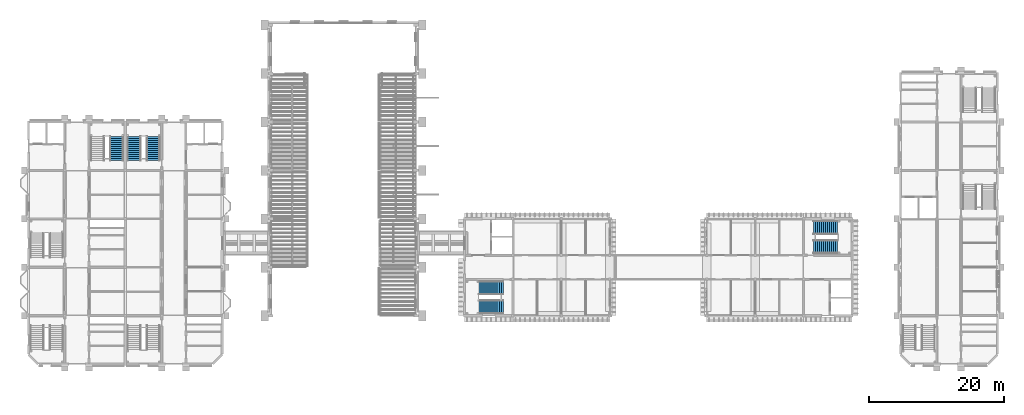
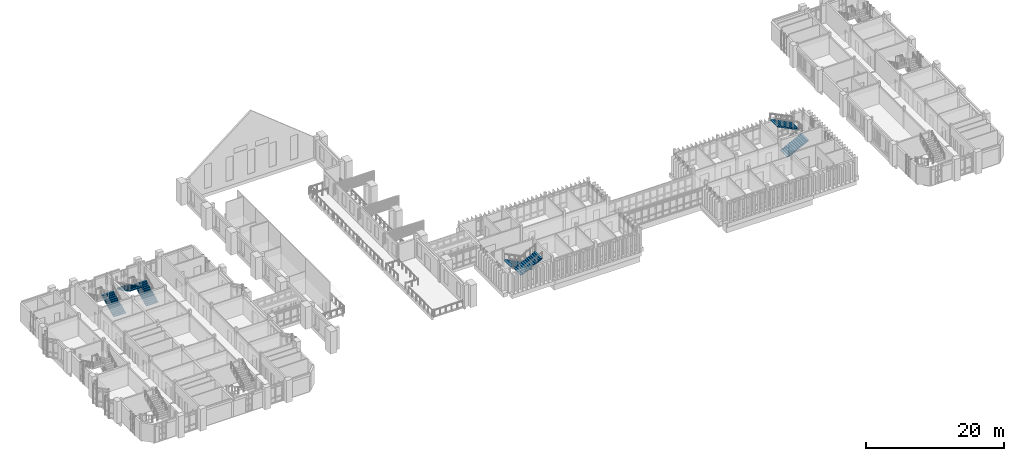
# One storey, part 56 of 69: 7 stair flights, 4 elements without a shape of their own.
"""IFC4 building model written with IfcOpenShell, lengths in metres."""

from ifc_helpers import new_model, si_unit, direction, frame, origin, place, context, subcontext, project, spatial, faceted_brep, material, type_object, element, aggregate, save


model = new_model("IFC4")

# Units and contexts
model_context = context("Model", 3, precision=1e-05, world=origin(), true_north=direction((0.0, 1.0)))
body_context = subcontext(model_context, "Body", "Model", "MODEL_VIEW")
ifc_project = project(units=[si_unit("LENGTHUNIT", "METRE"), si_unit("AREAUNIT", "SQUARE_METRE"), si_unit("VOLUMEUNIT", "CUBIC_METRE"), si_unit("PLANEANGLEUNIT", "RADIAN"), si_unit("MASSUNIT", "GRAM", prefix="KILO")], contexts=[model_context])

# Site, building, storey
site_placement = place(None, origin())
site = spatial("IfcSite", under=ifc_project, at=site_placement, CompositionType="ELEMENT")
building_placement = place(site_placement, origin())
building = spatial("IfcBuilding", under=site, at=building_placement, Name="Mazhai Court Health Centre", CompositionType="ELEMENT")
storey_placement = place(building_placement, frame((0.0, 0.0, 6.300048828125)))
storey = spatial("IfcBuildingStorey", under=building, at=storey_placement, Name="L01", CompositionType="ELEMENT", Elevation=6.300048828125)

# Stair, stair flight
ifc_material_1 = material(Name="Concrete M40", Category="concrete")
stair_type = type_object("IfcStairType", Name="RC STAIR 2000 26R", PredefinedType="DOUBLE_RETURN_STAIR", material=ifc_material_1)
stair_1_placement = place(storey_placement, origin())
stair_1 = element("IfcStair", 1, at=stair_1_placement, inside=storey, type_object=stair_type, Name="L01 Stair 3", PredefinedType="HALF_TURN_STAIR")
ifc_material_2 = material(Name="Concrete M40", Category="concrete")
stair_flight_type = type_object("IfcStairFlightType", Name="RC STAIR FLIGHT 13R 2000", PredefinedType="STRAIGHT", material=ifc_material_2)
stair_flight_1_placement = place(storey_placement, frame((19.304931640625, 36.43505859375, 0.0), z_axis=(0.0, 0.0, 1.0), x_axis=(0.0, 1.0, 0.0)))
stair_flight_1 = element("IfcStairFlight", 2, at=stair_flight_1_placement, type_object=stair_flight_type, Name="ST3 flight 1", NumberOfRisers=13, NumberOfTreads=12, PredefinedType="STRAIGHT", RiserHeight=0.15, TreadLength=0.3, context=body_context, shape_type="Brep", body=[
    faceted_brep([(0.0, 1.0, 0.0), (0.0, 1.0, 0.14990234375), (0.300048828125, 1.0, 0.14990234375), (0.300048828125, 1.0, 0.300048828125), (0.60009765625, 1.0, 0.300048828125), (0.60009765625, 1.0, 0.449951171875), (0.89990234375, 1.0, 0.449951171875), (0.89990234375, 1.0, 0.60009765625), (1.199951171875, 1.0, 0.60009765625), (1.199951171875, 1.0, 0.75), (1.5, 1.0, 0.75), (1.5, 1.0, 0.89990234375), (1.800048828125, 1.0, 0.89990234375), (1.800048828125, 1.0, 1.050048828125), (2.10009765625, 1.0, 1.050048828125), (2.10009765625, 1.0, 1.199951171875), (2.39990234375, 1.0, 1.199951171875), (2.39990234375, 1.0, 1.35009765625), (2.699951171875, 1.0, 1.35009765625), (2.699951171875, 1.0, 1.5), (3.0, 1.0, 1.5), (3.0, 1.0, 1.64990234375), (3.300048828125, 1.0, 1.64990234375), (3.300048828125, 1.0, 1.800048828125), (3.60009765625, 1.0, 1.800048828125), (3.60009765625, 1.0, 1.63232421875), (0.335205078125, 1.0, 0.0), (0.335205078125, -1.0, 0.0), (3.60009765625, -1.0, 1.63232421875), (3.60009765625, -1.0, 1.800048828125), (3.300048828125, -1.0, 1.800048828125), (3.300048828125, -1.0, 1.64990234375), (3.0, -1.0, 1.64990234375), (3.0, -1.0, 1.5), (2.699951171875, -1.0, 1.5), (2.699951171875, -1.0, 1.35009765625), (2.39990234375, -1.0, 1.35009765625), (2.39990234375, -1.0, 1.199951171875), (2.10009765625, -1.0, 1.199951171875), (2.10009765625, -1.0, 1.050048828125), (1.800048828125, -1.0, 1.050048828125), (1.800048828125, -1.0, 0.89990234375), (1.5, -1.0, 0.89990234375), (1.5, -1.0, 0.75), (1.199951171875, -1.0, 0.75), (1.199951171875, -1.0, 0.60009765625), (0.89990234375, -1.0, 0.60009765625), (0.89990234375, -1.0, 0.449951171875), (0.60009765625, -1.0, 0.449951171875), (0.60009765625, -1.0, 0.300048828125), (0.300048828125, -1.0, 0.300048828125), (0.300048828125, -1.0, 0.14990234375), (0.0, -1.0, 0.14990234375), (0.0, -1.0, 0.0), (0.0, 0.0, 0.0), (0.0, 0.0, 0.14990234375), (0.300048828125, 0.0, 0.14990234375), (0.300048828125, 0.0, 0.300048828125), (0.60009765625, 0.0, 0.300048828125), (0.60009765625, 0.0, 0.449951171875), (0.89990234375, 0.0, 0.449951171875), (0.89990234375, 0.0, 0.60009765625), (1.199951171875, 0.0, 0.60009765625), (1.199951171875, 0.0, 0.75), (1.5, 0.0, 0.75), (1.5, 0.0, 0.89990234375), (1.800048828125, 0.0, 0.89990234375), (1.800048828125, 0.0, 1.050048828125), (2.10009765625, 0.0, 1.050048828125), (2.10009765625, 0.0, 1.199951171875), (2.39990234375, 0.0, 1.199951171875), (2.39990234375, 0.0, 1.35009765625), (2.699951171875, 0.0, 1.35009765625), (2.699951171875, 0.0, 1.5), (3.0, 0.0, 1.5), (3.0, 0.0, 1.64990234375), (3.300048828125, 0.0, 1.64990234375), (3.300048828125, 0.0, 1.800048828125), (3.60009765625, 0.0, 1.800048828125), (3.60009765625, 0.0, 1.63232421875), (0.335205078125, 0.0, 0.0)], [[[0, 1, 2, 3, 4, 5, 6, 7, 8, 9, 10, 11, 12, 13, 14, 15, 16, 17, 18, 19, 20, 21, 22, 23, 24, 25, 26]], [[27, 28, 29, 30, 31, 32, 33, 34, 35, 36, 37, 38, 39, 40, 41, 42, 43, 44, 45, 46, 47, 48, 49, 50, 51, 52, 53]], [[54, 55, 1, 0]], [[53, 52, 55, 54]], [[55, 56, 2, 1]], [[52, 51, 56, 55]], [[56, 57, 3, 2]], [[51, 50, 57, 56]], [[57, 58, 4, 3]], [[50, 49, 58, 57]], [[58, 59, 5, 4]], [[49, 48, 59, 58]], [[59, 60, 6, 5]], [[48, 47, 60, 59]], [[60, 61, 7, 6]], [[47, 46, 61, 60]], [[61, 62, 8, 7]], [[46, 45, 62, 61]], [[62, 63, 9, 8]], [[45, 44, 63, 62]], [[63, 64, 10, 9]], [[44, 43, 64, 63]], [[64, 65, 11, 10]], [[43, 42, 65, 64]], [[65, 66, 12, 11]], [[42, 41, 66, 65]], [[66, 67, 13, 12]], [[41, 40, 67, 66]], [[67, 68, 14, 13]], [[40, 39, 68, 67]], [[68, 69, 15, 14]], [[39, 38, 69, 68]], [[69, 70, 16, 15]], [[38, 37, 70, 69]], [[70, 71, 17, 16]], [[37, 36, 71, 70]], [[71, 72, 18, 17]], [[36, 35, 72, 71]], [[72, 73, 19, 18]], [[35, 34, 73, 72]], [[73, 74, 20, 19]], [[34, 33, 74, 73]], [[74, 75, 21, 20]], [[33, 32, 75, 74]], [[75, 76, 22, 21]], [[32, 31, 76, 75]], [[76, 77, 23, 22]], [[31, 30, 77, 76]], [[77, 78, 24, 23]], [[30, 29, 78, 77]], [[78, 79, 25, 24]], [[29, 28, 79, 78]], [[79, 80, 26, 25]], [[28, 27, 80, 79]], [[80, 54, 0, 26]], [[27, 53, 54, 80]]]),
])
aggregate(stair_1, [stair_flight_1])

# Stair, stair flights
stair_2_placement = place(storey_placement, origin())
stair_2 = element("IfcStair", 3, at=stair_2_placement, inside=storey, type_object=stair_type, Name="L01 Stair 5", PredefinedType="HALF_TURN_STAIR")
stair_flight_2_placement = place(storey_placement, frame((24.7451171875, 36.43505859375, 0.0), z_axis=(0.0, 0.0, 1.0), x_axis=(0.0, 1.0, 0.0)))
stair_flight_2 = element("IfcStairFlight", 4, at=stair_flight_2_placement, type_object=stair_flight_type, Name="ST5 flight 1", NumberOfRisers=13, NumberOfTreads=12, PredefinedType="STRAIGHT", RiserHeight=0.15, TreadLength=0.3, context=body_context, shape_type="Brep", body=[
    faceted_brep([(0.0, 1.0, 0.0), (0.0, 1.0, 0.14990234375), (0.300048828125, 1.0, 0.14990234375), (0.300048828125, 1.0, 0.300048828125), (0.60009765625, 1.0, 0.300048828125), (0.60009765625, 1.0, 0.449951171875), (0.89990234375, 1.0, 0.449951171875), (0.89990234375, 1.0, 0.60009765625), (1.199951171875, 1.0, 0.60009765625), (1.199951171875, 1.0, 0.75), (1.5, 1.0, 0.75), (1.5, 1.0, 0.89990234375), (1.800048828125, 1.0, 0.89990234375), (1.800048828125, 1.0, 1.050048828125), (2.10009765625, 1.0, 1.050048828125), (2.10009765625, 1.0, 1.199951171875), (2.39990234375, 1.0, 1.199951171875), (2.39990234375, 1.0, 1.35009765625), (2.699951171875, 1.0, 1.35009765625), (2.699951171875, 1.0, 1.5), (3.0, 1.0, 1.5), (3.0, 1.0, 1.64990234375), (3.300048828125, 1.0, 1.64990234375), (3.300048828125, 1.0, 1.800048828125), (3.60009765625, 1.0, 1.800048828125), (3.60009765625, 1.0, 1.63232421875), (0.335205078125, 1.0, 0.0), (0.335205078125, -1.0, 0.0), (3.60009765625, -1.0, 1.63232421875), (3.60009765625, -1.0, 1.800048828125), (3.300048828125, -1.0, 1.800048828125), (3.300048828125, -1.0, 1.64990234375), (3.0, -1.0, 1.64990234375), (3.0, -1.0, 1.5), (2.699951171875, -1.0, 1.5), (2.699951171875, -1.0, 1.35009765625), (2.39990234375, -1.0, 1.35009765625), (2.39990234375, -1.0, 1.199951171875), (2.10009765625, -1.0, 1.199951171875), (2.10009765625, -1.0, 1.050048828125), (1.800048828125, -1.0, 1.050048828125), (1.800048828125, -1.0, 0.89990234375), (1.5, -1.0, 0.89990234375), (1.5, -1.0, 0.75), (1.199951171875, -1.0, 0.75), (1.199951171875, -1.0, 0.60009765625), (0.89990234375, -1.0, 0.60009765625), (0.89990234375, -1.0, 0.449951171875), (0.60009765625, -1.0, 0.449951171875), (0.60009765625, -1.0, 0.300048828125), (0.300048828125, -1.0, 0.300048828125), (0.300048828125, -1.0, 0.14990234375), (0.0, -1.0, 0.14990234375), (0.0, -1.0, 0.0), (0.0, 0.0, 0.0), (0.0, 0.0, 0.14990234375), (0.300048828125, 0.0, 0.14990234375), (0.300048828125, 0.0, 0.300048828125), (0.60009765625, 0.0, 0.300048828125), (0.60009765625, 0.0, 0.449951171875), (0.89990234375, 0.0, 0.449951171875), (0.89990234375, 0.0, 0.60009765625), (1.199951171875, 0.0, 0.60009765625), (1.199951171875, 0.0, 0.75), (1.5, 0.0, 0.75), (1.5, 0.0, 0.89990234375), (1.800048828125, 0.0, 0.89990234375), (1.800048828125, 0.0, 1.050048828125), (2.10009765625, 0.0, 1.050048828125), (2.10009765625, 0.0, 1.199951171875), (2.39990234375, 0.0, 1.199951171875), (2.39990234375, 0.0, 1.35009765625), (2.699951171875, 0.0, 1.35009765625), (2.699951171875, 0.0, 1.5), (3.0, 0.0, 1.5), (3.0, 0.0, 1.64990234375), (3.300048828125, 0.0, 1.64990234375), (3.300048828125, 0.0, 1.800048828125), (3.60009765625, 0.0, 1.800048828125), (3.60009765625, 0.0, 1.63232421875), (0.335205078125, 0.0, 0.0)], [[[0, 1, 2, 3, 4, 5, 6, 7, 8, 9, 10, 11, 12, 13, 14, 15, 16, 17, 18, 19, 20, 21, 22, 23, 24, 25, 26]], [[27, 28, 29, 30, 31, 32, 33, 34, 35, 36, 37, 38, 39, 40, 41, 42, 43, 44, 45, 46, 47, 48, 49, 50, 51, 52, 53]], [[54, 55, 1, 0]], [[53, 52, 55, 54]], [[55, 56, 2, 1]], [[52, 51, 56, 55]], [[56, 57, 3, 2]], [[51, 50, 57, 56]], [[57, 58, 4, 3]], [[50, 49, 58, 57]], [[58, 59, 5, 4]], [[49, 48, 59, 58]], [[59, 60, 6, 5]], [[48, 47, 60, 59]], [[60, 61, 7, 6]], [[47, 46, 61, 60]], [[61, 62, 8, 7]], [[46, 45, 62, 61]], [[62, 63, 9, 8]], [[45, 44, 63, 62]], [[63, 64, 10, 9]], [[44, 43, 64, 63]], [[64, 65, 11, 10]], [[43, 42, 65, 64]], [[65, 66, 12, 11]], [[42, 41, 66, 65]], [[66, 67, 13, 12]], [[41, 40, 67, 66]], [[67, 68, 14, 13]], [[40, 39, 68, 67]], [[68, 69, 15, 14]], [[39, 38, 69, 68]], [[69, 70, 16, 15]], [[38, 37, 70, 69]], [[70, 71, 17, 16]], [[37, 36, 71, 70]], [[71, 72, 18, 17]], [[36, 35, 72, 71]], [[72, 73, 19, 18]], [[35, 34, 73, 72]], [[73, 74, 20, 19]], [[34, 33, 74, 73]], [[74, 75, 21, 20]], [[33, 32, 75, 74]], [[75, 76, 22, 21]], [[32, 31, 76, 75]], [[76, 77, 23, 22]], [[31, 30, 77, 76]], [[77, 78, 24, 23]], [[30, 29, 78, 77]], [[78, 79, 25, 24]], [[29, 28, 79, 78]], [[79, 80, 26, 25]], [[28, 27, 80, 79]], [[80, 54, 0, 26]], [[27, 53, 54, 80]]]),
])
stair_flight_3_placement = place(storey_placement, frame((21.89501953125, 40.034912109375, 1.949951171875), z_axis=(0.0, 0.0, 1.0), x_axis=(0.0, -1.0, 0.0)))
stair_flight_3 = element("IfcStairFlight", 5, at=stair_flight_3_placement, type_object=stair_flight_type, Name="ST5 flight 2", NumberOfRisers=13, NumberOfTreads=12, PredefinedType="STRAIGHT", RiserHeight=0.15, TreadLength=0.3, context=body_context, shape_type="Brep", body=[
    faceted_brep([(0.0, 1.0, 0.0), (0.0, 1.0, 0.14990234375), (0.300048828125, 1.0, 0.14990234375), (0.300048828125, 1.0, 0.300048828125), (0.60009765625, 1.0, 0.300048828125), (0.60009765625, 1.0, 0.449951171875), (0.89990234375, 1.0, 0.449951171875), (0.89990234375, 1.0, 0.60009765625), (1.199951171875, 1.0, 0.60009765625), (1.199951171875, 1.0, 0.75), (1.5, 1.0, 0.75), (1.5, 1.0, 0.89990234375), (1.800048828125, 1.0, 0.89990234375), (1.800048828125, 1.0, 1.050048828125), (2.10009765625, 1.0, 1.050048828125), (2.10009765625, 1.0, 1.199951171875), (2.39990234375, 1.0, 1.199951171875), (2.39990234375, 1.0, 1.35009765625), (2.699951171875, 1.0, 1.35009765625), (2.699951171875, 1.0, 1.5), (3.0, 1.0, 1.5), (3.0, 1.0, 1.64990234375), (3.300048828125, 1.0, 1.64990234375), (3.300048828125, 1.0, 1.800048828125), (3.60009765625, 1.0, 1.800048828125), (3.60009765625, 1.0, 1.63232421875), (0.335205078125, 1.0, 0.0), (0.335205078125, -1.0, 0.0), (3.60009765625, -1.0, 1.63232421875), (3.60009765625, -1.0, 1.800048828125), (3.300048828125, -1.0, 1.800048828125), (3.300048828125, -1.0, 1.64990234375), (3.0, -1.0, 1.64990234375), (3.0, -1.0, 1.5), (2.699951171875, -1.0, 1.5), (2.699951171875, -1.0, 1.35009765625), (2.39990234375, -1.0, 1.35009765625), (2.39990234375, -1.0, 1.199951171875), (2.10009765625, -1.0, 1.199951171875), (2.10009765625, -1.0, 1.050048828125), (1.800048828125, -1.0, 1.050048828125), (1.800048828125, -1.0, 0.89990234375), (1.5, -1.0, 0.89990234375), (1.5, -1.0, 0.75), (1.199951171875, -1.0, 0.75), (1.199951171875, -1.0, 0.60009765625), (0.89990234375, -1.0, 0.60009765625), (0.89990234375, -1.0, 0.449951171875), (0.60009765625, -1.0, 0.449951171875), (0.60009765625, -1.0, 0.300048828125), (0.300048828125, -1.0, 0.300048828125), (0.300048828125, -1.0, 0.14990234375), (0.0, -1.0, 0.14990234375), (0.0, -1.0, 0.0), (0.0, 0.0, 0.0), (0.0, 0.0, 0.14990234375), (0.300048828125, 0.0, 0.14990234375), (0.300048828125, 0.0, 0.300048828125), (0.60009765625, 0.0, 0.300048828125), (0.60009765625, 0.0, 0.449951171875), (0.89990234375, 0.0, 0.449951171875), (0.89990234375, 0.0, 0.60009765625), (1.199951171875, 0.0, 0.60009765625), (1.199951171875, 0.0, 0.75), (1.5, 0.0, 0.75), (1.5, 0.0, 0.89990234375), (1.800048828125, 0.0, 0.89990234375), (1.800048828125, 0.0, 1.050048828125), (2.10009765625, 0.0, 1.050048828125), (2.10009765625, 0.0, 1.199951171875), (2.39990234375, 0.0, 1.199951171875), (2.39990234375, 0.0, 1.35009765625), (2.699951171875, 0.0, 1.35009765625), (2.699951171875, 0.0, 1.5), (3.0, 0.0, 1.5), (3.0, 0.0, 1.64990234375), (3.300048828125, 0.0, 1.64990234375), (3.300048828125, 0.0, 1.800048828125), (3.60009765625, 0.0, 1.800048828125), (3.60009765625, 0.0, 1.63232421875), (0.335205078125, 0.0, 0.0)], [[[0, 1, 2, 3, 4, 5, 6, 7, 8, 9, 10, 11, 12, 13, 14, 15, 16, 17, 18, 19, 20, 21, 22, 23, 24, 25, 26]], [[27, 28, 29, 30, 31, 32, 33, 34, 35, 36, 37, 38, 39, 40, 41, 42, 43, 44, 45, 46, 47, 48, 49, 50, 51, 52, 53]], [[54, 55, 1, 0]], [[53, 52, 55, 54]], [[55, 56, 2, 1]], [[52, 51, 56, 55]], [[56, 57, 3, 2]], [[51, 50, 57, 56]], [[57, 58, 4, 3]], [[50, 49, 58, 57]], [[58, 59, 5, 4]], [[49, 48, 59, 58]], [[59, 60, 6, 5]], [[48, 47, 60, 59]], [[60, 61, 7, 6]], [[47, 46, 61, 60]], [[61, 62, 8, 7]], [[46, 45, 62, 61]], [[62, 63, 9, 8]], [[45, 44, 63, 62]], [[63, 64, 10, 9]], [[44, 43, 64, 63]], [[64, 65, 11, 10]], [[43, 42, 65, 64]], [[65, 66, 12, 11]], [[42, 41, 66, 65]], [[66, 67, 13, 12]], [[41, 40, 67, 66]], [[67, 68, 14, 13]], [[40, 39, 68, 67]], [[68, 69, 15, 14]], [[39, 38, 69, 68]], [[69, 70, 16, 15]], [[38, 37, 70, 69]], [[70, 71, 17, 16]], [[37, 36, 71, 70]], [[71, 72, 18, 17]], [[36, 35, 72, 71]], [[72, 73, 19, 18]], [[35, 34, 73, 72]], [[73, 74, 20, 19]], [[34, 33, 74, 73]], [[74, 75, 21, 20]], [[33, 32, 75, 74]], [[75, 76, 22, 21]], [[32, 31, 76, 75]], [[76, 77, 23, 22]], [[31, 30, 77, 76]], [[77, 78, 24, 23]], [[30, 29, 78, 77]], [[78, 79, 25, 24]], [[29, 28, 79, 78]], [[79, 80, 26, 25]], [[28, 27, 80, 79]], [[80, 54, 0, 26]], [[27, 53, 54, 80]]]),
])
aggregate(stair_2, [stair_flight_2, stair_flight_3])

stair_3_placement = place(storey_placement, origin())
stair_3 = element("IfcStair", 6, at=stair_3_placement, inside=storey, type_object=stair_type, Name="L01 Stair 6", PredefinedType="HALF_TURN_STAIR")
stair_flight_4_placement = place(storey_placement, frame((76.764892578125, 17.544921875, 0.0), z_axis=(0.0, 0.0, 1.0), x_axis=(-1.0, 0.0, 0.0)))
stair_flight_4 = element("IfcStairFlight", 7, at=stair_flight_4_placement, type_object=stair_flight_type, Name="ST6 flight 1", NumberOfRisers=13, NumberOfTreads=12, PredefinedType="STRAIGHT", RiserHeight=0.15, TreadLength=0.3, context=body_context, shape_type="Brep", body=[
    faceted_brep([(0.0, 1.0, 0.0), (0.0, 1.0, 0.14990234375), (0.300048828125, 1.0, 0.14990234375), (0.300048828125, 1.0, 0.300048828125), (0.60009765625, 1.0, 0.300048828125), (0.60009765625, 1.0, 0.449951171875), (0.89990234375, 1.0, 0.449951171875), (0.89990234375, 1.0, 0.60009765625), (1.199951171875, 1.0, 0.60009765625), (1.199951171875, 1.0, 0.75), (1.5, 1.0, 0.75), (1.5, 1.0, 0.89990234375), (1.800048828125, 1.0, 0.89990234375), (1.800048828125, 1.0, 1.050048828125), (2.10009765625, 1.0, 1.050048828125), (2.10009765625, 1.0, 1.199951171875), (2.39990234375, 1.0, 1.199951171875), (2.39990234375, 1.0, 1.35009765625), (2.699951171875, 1.0, 1.35009765625), (2.699951171875, 1.0, 1.5), (3.0, 1.0, 1.5), (3.0, 1.0, 1.64990234375), (3.300048828125, 1.0, 1.64990234375), (3.300048828125, 1.0, 1.800048828125), (3.60009765625, 1.0, 1.800048828125), (3.60009765625, 1.0, 1.63232421875), (0.335205078125, 1.0, 0.0), (0.335205078125, -1.0, 0.0), (3.60009765625, -1.0, 1.63232421875), (3.60009765625, -1.0, 1.800048828125), (3.300048828125, -1.0, 1.800048828125), (3.300048828125, -1.0, 1.64990234375), (3.0, -1.0, 1.64990234375), (3.0, -1.0, 1.5), (2.699951171875, -1.0, 1.5), (2.699951171875, -1.0, 1.35009765625), (2.39990234375, -1.0, 1.35009765625), (2.39990234375, -1.0, 1.199951171875), (2.10009765625, -1.0, 1.199951171875), (2.10009765625, -1.0, 1.050048828125), (1.800048828125, -1.0, 1.050048828125), (1.800048828125, -1.0, 0.89990234375), (1.5, -1.0, 0.89990234375), (1.5, -1.0, 0.75), (1.199951171875, -1.0, 0.75), (1.199951171875, -1.0, 0.60009765625), (0.89990234375, -1.0, 0.60009765625), (0.89990234375, -1.0, 0.449951171875), (0.60009765625, -1.0, 0.449951171875), (0.60009765625, -1.0, 0.300048828125), (0.300048828125, -1.0, 0.300048828125), (0.300048828125, -1.0, 0.14990234375), (0.0, -1.0, 0.14990234375), (0.0, -1.0, 0.0), (0.0, 0.0, 0.0), (0.0, 0.0, 0.14990234375), (0.300048828125, 0.0, 0.14990234375), (0.300048828125, 0.0, 0.300048828125), (0.60009765625, 0.0, 0.300048828125), (0.60009765625, 0.0, 0.449951171875), (0.89990234375, 0.0, 0.449951171875), (0.89990234375, 0.0, 0.60009765625), (1.199951171875, 0.0, 0.60009765625), (1.199951171875, 0.0, 0.75), (1.5, 0.0, 0.75), (1.5, 0.0, 0.89990234375), (1.800048828125, 0.0, 0.89990234375), (1.800048828125, 0.0, 1.050048828125), (2.10009765625, 0.0, 1.050048828125), (2.10009765625, 0.0, 1.199951171875), (2.39990234375, 0.0, 1.199951171875), (2.39990234375, 0.0, 1.35009765625), (2.699951171875, 0.0, 1.35009765625), (2.699951171875, 0.0, 1.5), (3.0, 0.0, 1.5), (3.0, 0.0, 1.64990234375), (3.300048828125, 0.0, 1.64990234375), (3.300048828125, 0.0, 1.800048828125), (3.60009765625, 0.0, 1.800048828125), (3.60009765625, 0.0, 1.63232421875), (0.335205078125, 0.0, 0.0)], [[[0, 1, 2, 3, 4, 5, 6, 7, 8, 9, 10, 11, 12, 13, 14, 15, 16, 17, 18, 19, 20, 21, 22, 23, 24, 25, 26]], [[27, 28, 29, 30, 31, 32, 33, 34, 35, 36, 37, 38, 39, 40, 41, 42, 43, 44, 45, 46, 47, 48, 49, 50, 51, 52, 53]], [[54, 55, 1, 0]], [[53, 52, 55, 54]], [[55, 56, 2, 1]], [[52, 51, 56, 55]], [[56, 57, 3, 2]], [[51, 50, 57, 56]], [[57, 58, 4, 3]], [[50, 49, 58, 57]], [[58, 59, 5, 4]], [[49, 48, 59, 58]], [[59, 60, 6, 5]], [[48, 47, 60, 59]], [[60, 61, 7, 6]], [[47, 46, 61, 60]], [[61, 62, 8, 7]], [[46, 45, 62, 61]], [[62, 63, 9, 8]], [[45, 44, 63, 62]], [[63, 64, 10, 9]], [[44, 43, 64, 63]], [[64, 65, 11, 10]], [[43, 42, 65, 64]], [[65, 66, 12, 11]], [[42, 41, 66, 65]], [[66, 67, 13, 12]], [[41, 40, 67, 66]], [[67, 68, 14, 13]], [[40, 39, 68, 67]], [[68, 69, 15, 14]], [[39, 38, 69, 68]], [[69, 70, 16, 15]], [[38, 37, 70, 69]], [[70, 71, 17, 16]], [[37, 36, 71, 70]], [[71, 72, 18, 17]], [[36, 35, 72, 71]], [[72, 73, 19, 18]], [[35, 34, 73, 72]], [[73, 74, 20, 19]], [[34, 33, 74, 73]], [[74, 75, 21, 20]], [[33, 32, 75, 74]], [[75, 76, 22, 21]], [[32, 31, 76, 75]], [[76, 77, 23, 22]], [[31, 30, 77, 76]], [[77, 78, 24, 23]], [[30, 29, 78, 77]], [[78, 79, 25, 24]], [[29, 28, 79, 78]], [[79, 80, 26, 25]], [[28, 27, 80, 79]], [[80, 54, 0, 26]], [[27, 53, 54, 80]]]),
])
stair_flight_5_placement = place(storey_placement, frame((73.1650390625, 14.695068359375, 1.949951171875), z_axis=(0.0, 0.0, 1.0), x_axis=(1.0, 0.0, 0.0)))
stair_flight_5 = element("IfcStairFlight", 8, at=stair_flight_5_placement, type_object=stair_flight_type, Name="ST6 flight 2", NumberOfRisers=13, NumberOfTreads=12, PredefinedType="STRAIGHT", RiserHeight=0.15, TreadLength=0.3, context=body_context, shape_type="Brep", body=[
    faceted_brep([(0.0, 1.0, 0.0), (0.0, 1.0, 0.14990234375), (0.300048828125, 1.0, 0.14990234375), (0.300048828125, 1.0, 0.300048828125), (0.60009765625, 1.0, 0.300048828125), (0.60009765625, 1.0, 0.449951171875), (0.89990234375, 1.0, 0.449951171875), (0.89990234375, 1.0, 0.60009765625), (1.199951171875, 1.0, 0.60009765625), (1.199951171875, 1.0, 0.75), (1.5, 1.0, 0.75), (1.5, 1.0, 0.89990234375), (1.800048828125, 1.0, 0.89990234375), (1.800048828125, 1.0, 1.050048828125), (2.10009765625, 1.0, 1.050048828125), (2.10009765625, 1.0, 1.199951171875), (2.39990234375, 1.0, 1.199951171875), (2.39990234375, 1.0, 1.35009765625), (2.699951171875, 1.0, 1.35009765625), (2.699951171875, 1.0, 1.5), (3.0, 1.0, 1.5), (3.0, 1.0, 1.64990234375), (3.300048828125, 1.0, 1.64990234375), (3.300048828125, 1.0, 1.800048828125), (3.60009765625, 1.0, 1.800048828125), (3.60009765625, 1.0, 1.63232421875), (0.335205078125, 1.0, 0.0), (0.335205078125, -1.0, 0.0), (3.60009765625, -1.0, 1.63232421875), (3.60009765625, -1.0, 1.800048828125), (3.300048828125, -1.0, 1.800048828125), (3.300048828125, -1.0, 1.64990234375), (3.0, -1.0, 1.64990234375), (3.0, -1.0, 1.5), (2.699951171875, -1.0, 1.5), (2.699951171875, -1.0, 1.35009765625), (2.39990234375, -1.0, 1.35009765625), (2.39990234375, -1.0, 1.199951171875), (2.10009765625, -1.0, 1.199951171875), (2.10009765625, -1.0, 1.050048828125), (1.800048828125, -1.0, 1.050048828125), (1.800048828125, -1.0, 0.89990234375), (1.5, -1.0, 0.89990234375), (1.5, -1.0, 0.75), (1.199951171875, -1.0, 0.75), (1.199951171875, -1.0, 0.60009765625), (0.89990234375, -1.0, 0.60009765625), (0.89990234375, -1.0, 0.449951171875), (0.60009765625, -1.0, 0.449951171875), (0.60009765625, -1.0, 0.300048828125), (0.300048828125, -1.0, 0.300048828125), (0.300048828125, -1.0, 0.14990234375), (0.0, -1.0, 0.14990234375), (0.0, -1.0, 0.0), (0.0, 0.0, 0.0), (0.0, 0.0, 0.14990234375), (0.300048828125, 0.0, 0.14990234375), (0.300048828125, 0.0, 0.300048828125), (0.60009765625, 0.0, 0.300048828125), (0.60009765625, 0.0, 0.449951171875), (0.89990234375, 0.0, 0.449951171875), (0.89990234375, 0.0, 0.60009765625), (1.199951171875, 0.0, 0.60009765625), (1.199951171875, 0.0, 0.75), (1.5, 0.0, 0.75), (1.5, 0.0, 0.89990234375), (1.800048828125, 0.0, 0.89990234375), (1.800048828125, 0.0, 1.050048828125), (2.10009765625, 0.0, 1.050048828125), (2.10009765625, 0.0, 1.199951171875), (2.39990234375, 0.0, 1.199951171875), (2.39990234375, 0.0, 1.35009765625), (2.699951171875, 0.0, 1.35009765625), (2.699951171875, 0.0, 1.5), (3.0, 0.0, 1.5), (3.0, 0.0, 1.64990234375), (3.300048828125, 0.0, 1.64990234375), (3.300048828125, 0.0, 1.800048828125), (3.60009765625, 0.0, 1.800048828125), (3.60009765625, 0.0, 1.63232421875), (0.335205078125, 0.0, 0.0)], [[[0, 1, 2, 3, 4, 5, 6, 7, 8, 9, 10, 11, 12, 13, 14, 15, 16, 17, 18, 19, 20, 21, 22, 23, 24, 25, 26]], [[27, 28, 29, 30, 31, 32, 33, 34, 35, 36, 37, 38, 39, 40, 41, 42, 43, 44, 45, 46, 47, 48, 49, 50, 51, 52, 53]], [[54, 55, 1, 0]], [[53, 52, 55, 54]], [[55, 56, 2, 1]], [[52, 51, 56, 55]], [[56, 57, 3, 2]], [[51, 50, 57, 56]], [[57, 58, 4, 3]], [[50, 49, 58, 57]], [[58, 59, 5, 4]], [[49, 48, 59, 58]], [[59, 60, 6, 5]], [[48, 47, 60, 59]], [[60, 61, 7, 6]], [[47, 46, 61, 60]], [[61, 62, 8, 7]], [[46, 45, 62, 61]], [[62, 63, 9, 8]], [[45, 44, 63, 62]], [[63, 64, 10, 9]], [[44, 43, 64, 63]], [[64, 65, 11, 10]], [[43, 42, 65, 64]], [[65, 66, 12, 11]], [[42, 41, 66, 65]], [[66, 67, 13, 12]], [[41, 40, 67, 66]], [[67, 68, 14, 13]], [[40, 39, 68, 67]], [[68, 69, 15, 14]], [[39, 38, 69, 68]], [[69, 70, 16, 15]], [[38, 37, 70, 69]], [[70, 71, 17, 16]], [[37, 36, 71, 70]], [[71, 72, 18, 17]], [[36, 35, 72, 71]], [[72, 73, 19, 18]], [[35, 34, 73, 72]], [[73, 74, 20, 19]], [[34, 33, 74, 73]], [[74, 75, 21, 20]], [[33, 32, 75, 74]], [[75, 76, 22, 21]], [[32, 31, 76, 75]], [[76, 77, 23, 22]], [[31, 30, 77, 76]], [[77, 78, 24, 23]], [[30, 29, 78, 77]], [[78, 79, 25, 24]], [[29, 28, 79, 78]], [[79, 80, 26, 25]], [[28, 27, 80, 79]], [[80, 54, 0, 26]], [[27, 53, 54, 80]]]),
])
aggregate(stair_3, [stair_flight_4, stair_flight_5])

stair_4_placement = place(storey_placement, origin())
stair_4 = element("IfcStair", 9, at=stair_4_placement, inside=storey, type_object=stair_type, Name="L01 Stair 7", PredefinedType="HALF_TURN_STAIR")
stair_flight_6_placement = place(storey_placement, frame((122.8349609375, 23.655029296875, 0.0), z_axis=(0.0, 0.0, 1.0), x_axis=(1.0, 0.0, 0.0)))
stair_flight_6 = element("IfcStairFlight", 10, at=stair_flight_6_placement, type_object=stair_flight_type, Name="ST7 flight 1", NumberOfRisers=13, NumberOfTreads=12, PredefinedType="STRAIGHT", RiserHeight=0.15, TreadLength=0.3, context=body_context, shape_type="Brep", body=[
    faceted_brep([(0.0, 1.0, 0.0), (0.0, 1.0, 0.14990234375), (0.300048828125, 1.0, 0.14990234375), (0.300048828125, 1.0, 0.300048828125), (0.60009765625, 1.0, 0.300048828125), (0.60009765625, 1.0, 0.449951171875), (0.89990234375, 1.0, 0.449951171875), (0.89990234375, 1.0, 0.60009765625), (1.199951171875, 1.0, 0.60009765625), (1.199951171875, 1.0, 0.75), (1.5, 1.0, 0.75), (1.5, 1.0, 0.89990234375), (1.800048828125, 1.0, 0.89990234375), (1.800048828125, 1.0, 1.050048828125), (2.10009765625, 1.0, 1.050048828125), (2.10009765625, 1.0, 1.199951171875), (2.39990234375, 1.0, 1.199951171875), (2.39990234375, 1.0, 1.35009765625), (2.699951171875, 1.0, 1.35009765625), (2.699951171875, 1.0, 1.5), (3.0, 1.0, 1.5), (3.0, 1.0, 1.64990234375), (3.300048828125, 1.0, 1.64990234375), (3.300048828125, 1.0, 1.800048828125), (3.60009765625, 1.0, 1.800048828125), (3.60009765625, 1.0, 1.63232421875), (0.335205078125, 1.0, 0.0), (0.335205078125, -1.0, 0.0), (3.60009765625, -1.0, 1.63232421875), (3.60009765625, -1.0, 1.800048828125), (3.300048828125, -1.0, 1.800048828125), (3.300048828125, -1.0, 1.64990234375), (3.0, -1.0, 1.64990234375), (3.0, -1.0, 1.5), (2.699951171875, -1.0, 1.5), (2.699951171875, -1.0, 1.35009765625), (2.39990234375, -1.0, 1.35009765625), (2.39990234375, -1.0, 1.199951171875), (2.10009765625, -1.0, 1.199951171875), (2.10009765625, -1.0, 1.050048828125), (1.800048828125, -1.0, 1.050048828125), (1.800048828125, -1.0, 0.89990234375), (1.5, -1.0, 0.89990234375), (1.5, -1.0, 0.75), (1.199951171875, -1.0, 0.75), (1.199951171875, -1.0, 0.60009765625), (0.89990234375, -1.0, 0.60009765625), (0.89990234375, -1.0, 0.449951171875), (0.60009765625, -1.0, 0.449951171875), (0.60009765625, -1.0, 0.300048828125), (0.300048828125, -1.0, 0.300048828125), (0.300048828125, -1.0, 0.14990234375), (0.0, -1.0, 0.14990234375), (0.0, -1.0, 0.0), (0.0, 0.0, 0.0), (0.0, 0.0, 0.14990234375), (0.300048828125, 0.0, 0.14990234375), (0.300048828125, 0.0, 0.300048828125), (0.60009765625, 0.0, 0.300048828125), (0.60009765625, 0.0, 0.449951171875), (0.89990234375, 0.0, 0.449951171875), (0.89990234375, 0.0, 0.60009765625), (1.199951171875, 0.0, 0.60009765625), (1.199951171875, 0.0, 0.75), (1.5, 0.0, 0.75), (1.5, 0.0, 0.89990234375), (1.800048828125, 0.0, 0.89990234375), (1.800048828125, 0.0, 1.050048828125), (2.10009765625, 0.0, 1.050048828125), (2.10009765625, 0.0, 1.199951171875), (2.39990234375, 0.0, 1.199951171875), (2.39990234375, 0.0, 1.35009765625), (2.699951171875, 0.0, 1.35009765625), (2.699951171875, 0.0, 1.5), (3.0, 0.0, 1.5), (3.0, 0.0, 1.64990234375), (3.300048828125, 0.0, 1.64990234375), (3.300048828125, 0.0, 1.800048828125), (3.60009765625, 0.0, 1.800048828125), (3.60009765625, 0.0, 1.63232421875), (0.335205078125, 0.0, 0.0)], [[[0, 1, 2, 3, 4, 5, 6, 7, 8, 9, 10, 11, 12, 13, 14, 15, 16, 17, 18, 19, 20, 21, 22, 23, 24, 25, 26]], [[27, 28, 29, 30, 31, 32, 33, 34, 35, 36, 37, 38, 39, 40, 41, 42, 43, 44, 45, 46, 47, 48, 49, 50, 51, 52, 53]], [[54, 55, 1, 0]], [[53, 52, 55, 54]], [[55, 56, 2, 1]], [[52, 51, 56, 55]], [[56, 57, 3, 2]], [[51, 50, 57, 56]], [[57, 58, 4, 3]], [[50, 49, 58, 57]], [[58, 59, 5, 4]], [[49, 48, 59, 58]], [[59, 60, 6, 5]], [[48, 47, 60, 59]], [[60, 61, 7, 6]], [[47, 46, 61, 60]], [[61, 62, 8, 7]], [[46, 45, 62, 61]], [[62, 63, 9, 8]], [[45, 44, 63, 62]], [[63, 64, 10, 9]], [[44, 43, 64, 63]], [[64, 65, 11, 10]], [[43, 42, 65, 64]], [[65, 66, 12, 11]], [[42, 41, 66, 65]], [[66, 67, 13, 12]], [[41, 40, 67, 66]], [[67, 68, 14, 13]], [[40, 39, 68, 67]], [[68, 69, 15, 14]], [[39, 38, 69, 68]], [[69, 70, 16, 15]], [[38, 37, 70, 69]], [[70, 71, 17, 16]], [[37, 36, 71, 70]], [[71, 72, 18, 17]], [[36, 35, 72, 71]], [[72, 73, 19, 18]], [[35, 34, 73, 72]], [[73, 74, 20, 19]], [[34, 33, 74, 73]], [[74, 75, 21, 20]], [[33, 32, 75, 74]], [[75, 76, 22, 21]], [[32, 31, 76, 75]], [[76, 77, 23, 22]], [[31, 30, 77, 76]], [[77, 78, 24, 23]], [[30, 29, 78, 77]], [[78, 79, 25, 24]], [[29, 28, 79, 78]], [[79, 80, 26, 25]], [[28, 27, 80, 79]], [[80, 54, 0, 26]], [[27, 53, 54, 80]]]),
])
stair_flight_7_placement = place(storey_placement, frame((126.43505859375, 26.5048828125, 1.949951171875), z_axis=(0.0, 0.0, 1.0), x_axis=(-1.0, 0.0, 0.0)))
stair_flight_7 = element("IfcStairFlight", 11, at=stair_flight_7_placement, type_object=stair_flight_type, Name="ST7 flight 2", NumberOfRisers=13, NumberOfTreads=12, PredefinedType="STRAIGHT", RiserHeight=0.15, TreadLength=0.3, context=body_context, shape_type="Brep", body=[
    faceted_brep([(0.0, 1.0, 0.0), (0.0, 1.0, 0.14990234375), (0.300048828125, 1.0, 0.14990234375), (0.300048828125, 1.0, 0.300048828125), (0.60009765625, 1.0, 0.300048828125), (0.60009765625, 1.0, 0.449951171875), (0.89990234375, 1.0, 0.449951171875), (0.89990234375, 1.0, 0.60009765625), (1.199951171875, 1.0, 0.60009765625), (1.199951171875, 1.0, 0.75), (1.5, 1.0, 0.75), (1.5, 1.0, 0.89990234375), (1.800048828125, 1.0, 0.89990234375), (1.800048828125, 1.0, 1.050048828125), (2.10009765625, 1.0, 1.050048828125), (2.10009765625, 1.0, 1.199951171875), (2.39990234375, 1.0, 1.199951171875), (2.39990234375, 1.0, 1.35009765625), (2.699951171875, 1.0, 1.35009765625), (2.699951171875, 1.0, 1.5), (3.0, 1.0, 1.5), (3.0, 1.0, 1.64990234375), (3.300048828125, 1.0, 1.64990234375), (3.300048828125, 1.0, 1.800048828125), (3.60009765625, 1.0, 1.800048828125), (3.60009765625, 1.0, 1.63232421875), (0.335205078125, 1.0, 0.0), (0.335205078125, -1.0, 0.0), (3.60009765625, -1.0, 1.63232421875), (3.60009765625, -1.0, 1.800048828125), (3.300048828125, -1.0, 1.800048828125), (3.300048828125, -1.0, 1.64990234375), (3.0, -1.0, 1.64990234375), (3.0, -1.0, 1.5), (2.699951171875, -1.0, 1.5), (2.699951171875, -1.0, 1.35009765625), (2.39990234375, -1.0, 1.35009765625), (2.39990234375, -1.0, 1.199951171875), (2.10009765625, -1.0, 1.199951171875), (2.10009765625, -1.0, 1.050048828125), (1.800048828125, -1.0, 1.050048828125), (1.800048828125, -1.0, 0.89990234375), (1.5, -1.0, 0.89990234375), (1.5, -1.0, 0.75), (1.199951171875, -1.0, 0.75), (1.199951171875, -1.0, 0.60009765625), (0.89990234375, -1.0, 0.60009765625), (0.89990234375, -1.0, 0.449951171875), (0.60009765625, -1.0, 0.449951171875), (0.60009765625, -1.0, 0.300048828125), (0.300048828125, -1.0, 0.300048828125), (0.300048828125, -1.0, 0.14990234375), (0.0, -1.0, 0.14990234375), (0.0, -1.0, 0.0), (0.0, 0.0, 0.0), (0.0, 0.0, 0.14990234375), (0.300048828125, 0.0, 0.14990234375), (0.300048828125, 0.0, 0.300048828125), (0.60009765625, 0.0, 0.300048828125), (0.60009765625, 0.0, 0.449951171875), (0.89990234375, 0.0, 0.449951171875), (0.89990234375, 0.0, 0.60009765625), (1.199951171875, 0.0, 0.60009765625), (1.199951171875, 0.0, 0.75), (1.5, 0.0, 0.75), (1.5, 0.0, 0.89990234375), (1.800048828125, 0.0, 0.89990234375), (1.800048828125, 0.0, 1.050048828125), (2.10009765625, 0.0, 1.050048828125), (2.10009765625, 0.0, 1.199951171875), (2.39990234375, 0.0, 1.199951171875), (2.39990234375, 0.0, 1.35009765625), (2.699951171875, 0.0, 1.35009765625), (2.699951171875, 0.0, 1.5), (3.0, 0.0, 1.5), (3.0, 0.0, 1.64990234375), (3.300048828125, 0.0, 1.64990234375), (3.300048828125, 0.0, 1.800048828125), (3.60009765625, 0.0, 1.800048828125), (3.60009765625, 0.0, 1.63232421875), (0.335205078125, 0.0, 0.0)], [[[0, 1, 2, 3, 4, 5, 6, 7, 8, 9, 10, 11, 12, 13, 14, 15, 16, 17, 18, 19, 20, 21, 22, 23, 24, 25, 26]], [[27, 28, 29, 30, 31, 32, 33, 34, 35, 36, 37, 38, 39, 40, 41, 42, 43, 44, 45, 46, 47, 48, 49, 50, 51, 52, 53]], [[54, 55, 1, 0]], [[53, 52, 55, 54]], [[55, 56, 2, 1]], [[52, 51, 56, 55]], [[56, 57, 3, 2]], [[51, 50, 57, 56]], [[57, 58, 4, 3]], [[50, 49, 58, 57]], [[58, 59, 5, 4]], [[49, 48, 59, 58]], [[59, 60, 6, 5]], [[48, 47, 60, 59]], [[60, 61, 7, 6]], [[47, 46, 61, 60]], [[61, 62, 8, 7]], [[46, 45, 62, 61]], [[62, 63, 9, 8]], [[45, 44, 63, 62]], [[63, 64, 10, 9]], [[44, 43, 64, 63]], [[64, 65, 11, 10]], [[43, 42, 65, 64]], [[65, 66, 12, 11]], [[42, 41, 66, 65]], [[66, 67, 13, 12]], [[41, 40, 67, 66]], [[67, 68, 14, 13]], [[40, 39, 68, 67]], [[68, 69, 15, 14]], [[39, 38, 69, 68]], [[69, 70, 16, 15]], [[38, 37, 70, 69]], [[70, 71, 17, 16]], [[37, 36, 71, 70]], [[71, 72, 18, 17]], [[36, 35, 72, 71]], [[72, 73, 19, 18]], [[35, 34, 73, 72]], [[73, 74, 20, 19]], [[34, 33, 74, 73]], [[74, 75, 21, 20]], [[33, 32, 75, 74]], [[75, 76, 22, 21]], [[32, 31, 76, 75]], [[76, 77, 23, 22]], [[31, 30, 77, 76]], [[77, 78, 24, 23]], [[30, 29, 78, 77]], [[78, 79, 25, 24]], [[29, 28, 79, 78]], [[79, 80, 26, 25]], [[28, 27, 80, 79]], [[80, 54, 0, 26]], [[27, 53, 54, 80]]]),
])
aggregate(stair_4, [stair_flight_6, stair_flight_7])

save(model, "model.ifc")
